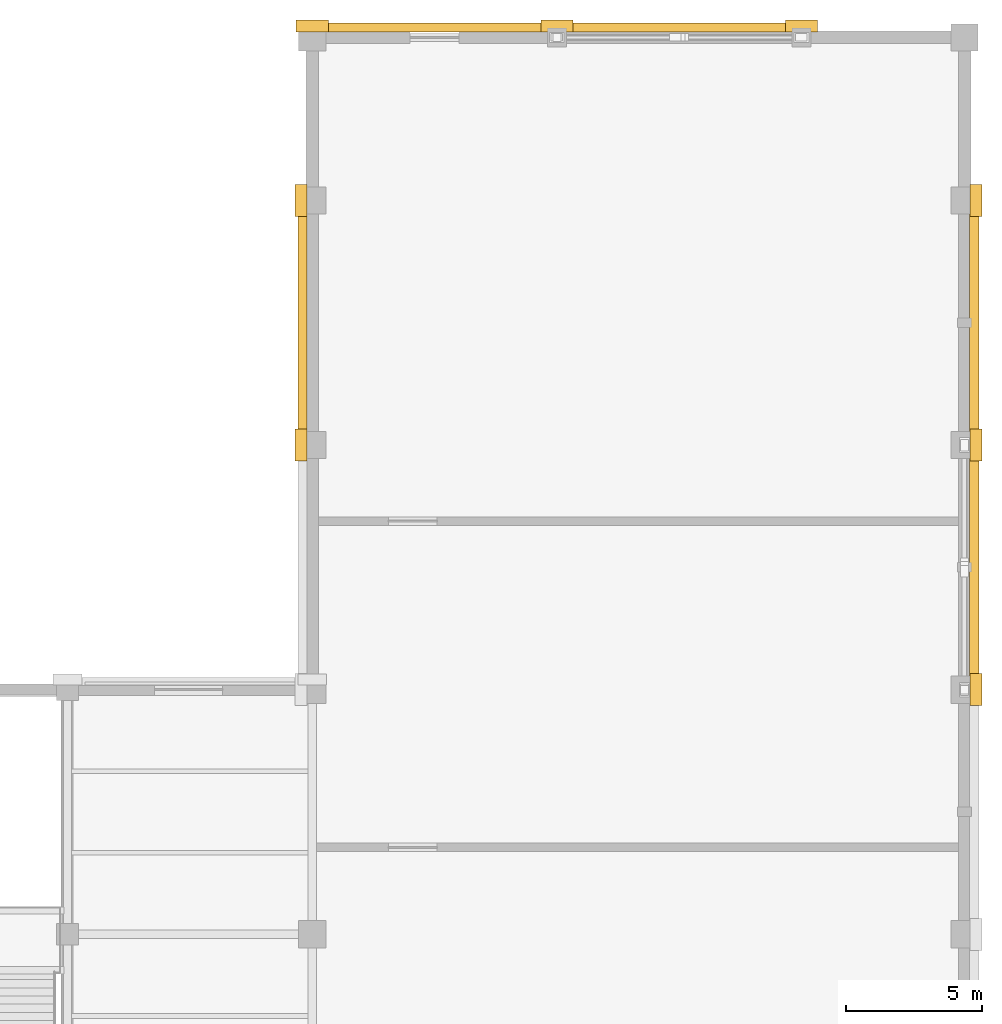
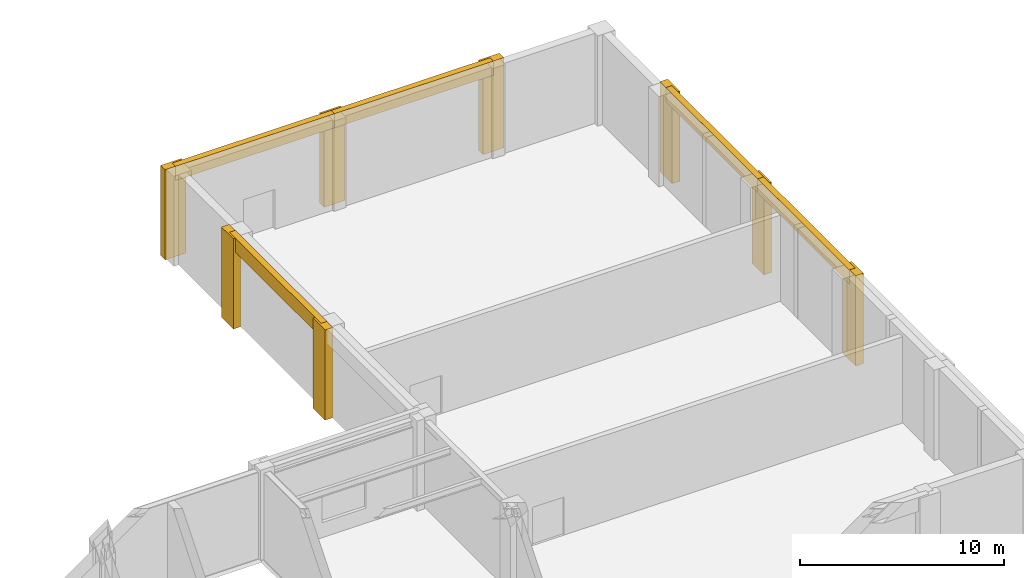
# One storey, part 77 of 77: 13 coverings.
"""IFC4 building model written with IfcOpenShell, lengths in metres."""

from ifc_helpers import new_model, si_unit, direction, frame, origin, origin_2d, place, context, subcontext, project, spatial, rectangle, extrude, material, layer, layer_set, type_object, element, save


model = new_model("IFC4")

# Units and contexts
model_context = context("Model", 3, precision=1e-05, world=origin(), true_north=direction((0.0, 1.0)))
body_context = subcontext(model_context, "Body", "Model", "MODEL_VIEW")
ifc_project = project(units=[si_unit("LENGTHUNIT", "METRE"), si_unit("AREAUNIT", "SQUARE_METRE"), si_unit("VOLUMEUNIT", "CUBIC_METRE"), si_unit("PLANEANGLEUNIT", "RADIAN"), si_unit("MASSUNIT", "GRAM", prefix="KILO")], contexts=[model_context])

# Site, building, storey
site_placement = place(None, origin())
site = spatial("IfcSite", under=ifc_project, at=site_placement, CompositionType="ELEMENT")
building_placement = place(site_placement, origin())
building = spatial("IfcBuilding", under=site, at=building_placement, Name="Lykobir Media Centre", CompositionType="ELEMENT")
storey_placement = place(building_placement, origin())
storey = spatial("IfcBuildingStorey", under=building, at=storey_placement, Name="L00", CompositionType="ELEMENT", Elevation=0.0)

# Coverings
ifc_material = material(Name="Honed Travertine Stone", Category="masonry")
ifc_layer = layer(ifc_material, 0.050048828125, Name="Honed Travertine Stone")
ifc_layer_set = layer_set([ifc_layer], Name="Honed Travertine Stone")
covering_type = type_object("IfcCoveringType", Name="CLD-TRAV", PredefinedType="CLADDING", material=ifc_layer_set)
covering_1_placement = place(storey_placement, frame((168.419921875, 90.0, 0.0), z_axis=(0.0, 0.0, 1.0), x_axis=(0.0, 1.0, 0.0)))
element("IfcCovering", 1, at=covering_1_placement, inside=storey, type_object=covering_type, Name="Stone pilaster 10", PredefinedType="CLADDING", context=body_context, shape_type="SweptSolid", body=[
    extrude(rectangle(XDim=1.179931640625, YDim=0.43994140625, at=origin_2d()), origin(), (0.0, 0.0, 1.0), 5.39990234375),
])
covering_2_placement = place(storey_placement, frame((168.360107421875, 94.5, 4.56005859375), z_axis=(0.0, 0.0, 1.0), x_axis=(0.0, 1.0, 0.0)))
element("IfcCovering", 2, at=covering_2_placement, inside=storey, type_object=covering_type, Name="Acoustic hall cornice band 11", PredefinedType="CLADDING", context=body_context, shape_type="SweptSolid", body=[
    extrude(rectangle(XDim=9.0, YDim=0.340087890625, at=origin_2d()), origin(), (0.0, 0.0, 1.0), 0.840087890625),
])
covering_3_placement = place(storey_placement, frame((168.419921875, 99.0, 0.0), z_axis=(0.0, 0.0, 1.0), x_axis=(0.0, 1.0, 0.0)))
element("IfcCovering", 3, at=covering_3_placement, inside=storey, type_object=covering_type, Name="Stone pilaster 12", PredefinedType="CLADDING", context=body_context, shape_type="SweptSolid", body=[
    extrude(rectangle(XDim=1.179931640625, YDim=0.43994140625, at=origin_2d()), origin(), (0.0, 0.0, 1.0), 5.39990234375),
])
covering_4_placement = place(storey_placement, frame((168.360107421875, 103.5, 4.56005859375), z_axis=(0.0, 0.0, 1.0), x_axis=(0.0, 1.0, 0.0)))
element("IfcCovering", 4, at=covering_4_placement, inside=storey, type_object=covering_type, Name="Acoustic hall cornice band 13", PredefinedType="CLADDING", context=body_context, shape_type="SweptSolid", body=[
    extrude(rectangle(XDim=9.0, YDim=0.340087890625, at=origin_2d()), origin(), (0.0, 0.0, 1.0), 0.840087890625),
])
covering_5_placement = place(storey_placement, frame((168.419921875, 108.0, 0.0), z_axis=(0.0, 0.0, 1.0), x_axis=(0.0, 1.0, 0.0)))
element("IfcCovering", 5, at=covering_5_placement, inside=storey, type_object=covering_type, Name="Stone pilaster 14", PredefinedType="CLADDING", context=body_context, shape_type="SweptSolid", body=[
    extrude(rectangle(XDim=1.179931640625, YDim=0.43994140625, at=origin_2d()), origin(), (0.0, 0.0, 1.0), 5.39990234375),
])
covering_6_placement = place(storey_placement, frame((148.5, 114.360107421875, 4.56005859375), z_axis=(0.0, 0.0, 1.0), x_axis=(-1.0, 0.0, 0.0)))
element("IfcCovering", 6, at=covering_6_placement, inside=storey, type_object=covering_type, Name="Acoustic hall cornice band 15", PredefinedType="CLADDING", context=body_context, shape_type="SweptSolid", body=[
    extrude(rectangle(XDim=9.0, YDim=0.340087890625, at=origin_2d()), origin(), (0.0, 0.0, 1.0), 0.840087890625),
])
for number, where, z_axis, x_axis, name in (
    (7, (153.0, 114.419921875, 0.0), (0.0, 0.0, 1.0), (-1.0, 0.0, 0.0), "Stone pilaster 16"),
    (8, (144.0, 114.419921875, 0.0), (0.0, 0.0, 1.0), (-1.0, 0.0, 0.0), "Stone pilaster 17"),
):
    element("IfcCovering", number, at=place(storey_placement, frame(where, z_axis=z_axis, x_axis=x_axis)), inside=storey, type_object=covering_type, Name=name, PredefinedType="CLADDING", context=body_context, shape_type="SweptSolid", body=[
        extrude(rectangle(XDim=1.179931640625, YDim=0.43994140625, at=origin_2d()), origin(), (0.0, 0.0, 1.0), 5.39990234375),
    ])
covering_7_placement = place(storey_placement, frame((157.5, 114.360107421875, 4.56005859375), z_axis=(0.0, 0.0, 1.0), x_axis=(-1.0, 0.0, 0.0)))
element("IfcCovering", 9, at=covering_7_placement, inside=storey, type_object=covering_type, Name="Acoustic hall cornice band 18", PredefinedType="CLADDING", context=body_context, shape_type="SweptSolid", body=[
    extrude(rectangle(XDim=9.0, YDim=0.340087890625, at=origin_2d()), origin(), (0.0, 0.0, 1.0), 0.840087890625),
])
for number, where, z_axis, x_axis, name in (
    (10, (162.0, 114.419921875, 0.0), (0.0, 0.0, 1.0), (-1.0, 0.0, 0.0), "Stone pilaster 19"),
    (11, (143.580078125, 99.0, 0.0), (0.0, 0.0, 1.0), (0.0, -1.0, 0.0), "Stone pilaster 21"),
):
    element("IfcCovering", number, at=place(storey_placement, frame(where, z_axis=z_axis, x_axis=x_axis)), inside=storey, type_object=covering_type, Name=name, PredefinedType="CLADDING", context=body_context, shape_type="SweptSolid", body=[
        extrude(rectangle(XDim=1.179931640625, YDim=0.43994140625, at=origin_2d()), origin(), (0.0, 0.0, 1.0), 5.39990234375),
    ])
covering_8_placement = place(storey_placement, frame((143.639892578125, 103.5, 4.56005859375), z_axis=(0.0, 0.0, 1.0), x_axis=(0.0, -1.0, 0.0)))
element("IfcCovering", 12, at=covering_8_placement, inside=storey, type_object=covering_type, Name="Acoustic hall cornice band 23", PredefinedType="CLADDING", context=body_context, shape_type="SweptSolid", body=[
    extrude(rectangle(XDim=9.0, YDim=0.340087890625, at=origin_2d()), origin(), (0.0, 0.0, 1.0), 0.840087890625),
])
covering_9_placement = place(storey_placement, frame((143.580078125, 108.0, 0.0), z_axis=(0.0, 0.0, 1.0), x_axis=(0.0, -1.0, 0.0)))
element("IfcCovering", 13, at=covering_9_placement, inside=storey, type_object=covering_type, Name="Stone pilaster 24", PredefinedType="CLADDING", context=body_context, shape_type="SweptSolid", body=[
    extrude(rectangle(XDim=1.179931640625, YDim=0.43994140625, at=origin_2d()), origin(), (0.0, 0.0, 1.0), 5.39990234375),
])

save(model, "model.ifc")
